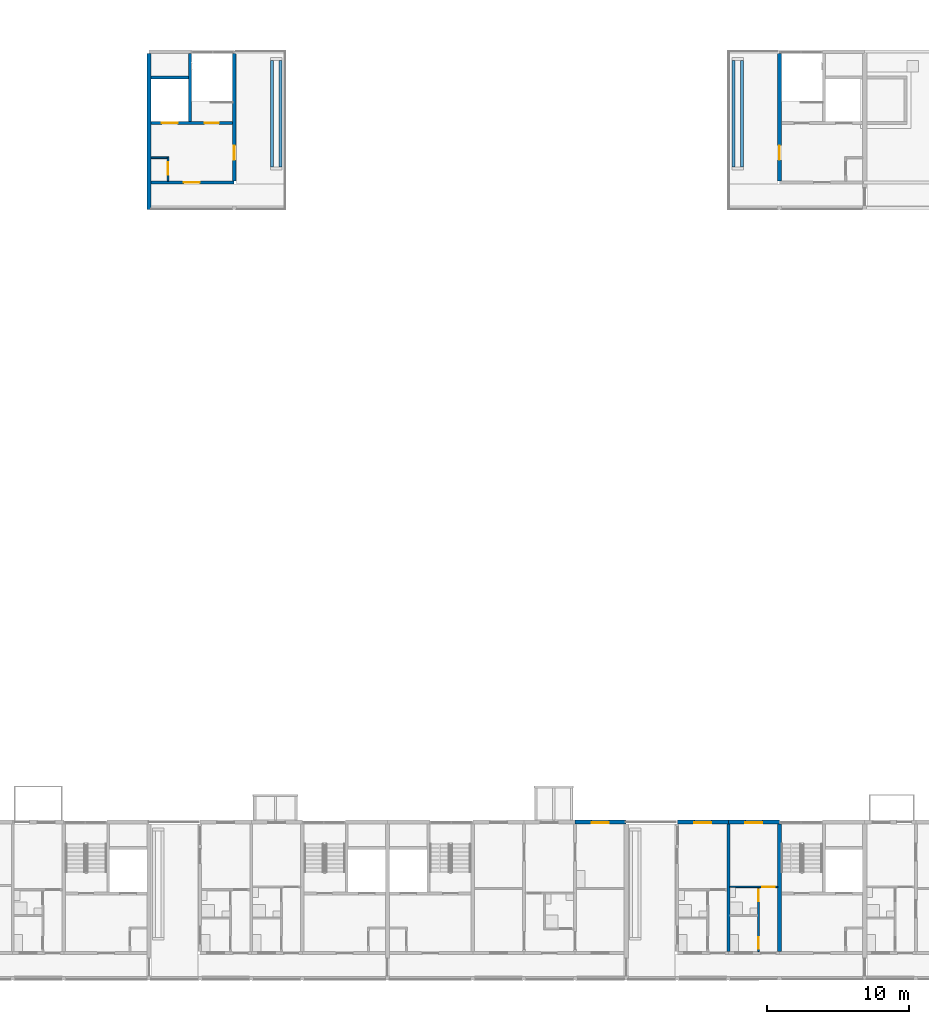
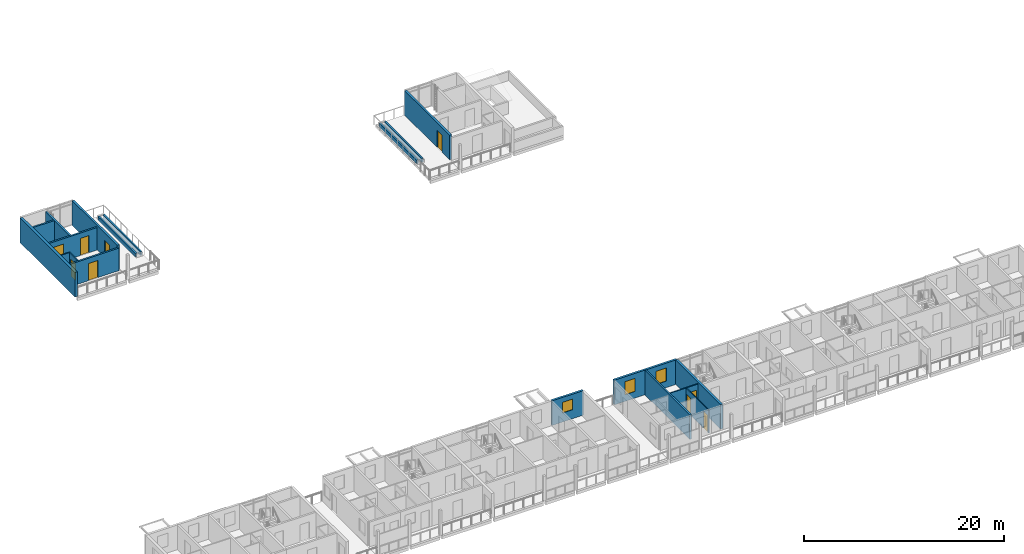
# One storey, part 35 of 78: 20 walls, 9 doors, 3 windows, 12 openings.
"""IFC4 building model written with IfcOpenShell, lengths in metres."""

from ifc_helpers import new_model, si_unit, direction, frame, frame_2d, origin, place, context, subcontext, project, spatial, rectangle, extrude, material, layer, layer_set, type_object, element, fill, save


model = new_model("IFC4")

# Units and contexts
model_context = context("Model", 3, precision=1e-05, world=origin(), true_north=direction((0.0, 1.0)))
body_context = subcontext(model_context, "Body", "Model", "MODEL_VIEW")
ifc_project = project(units=[si_unit("LENGTHUNIT", "METRE"), si_unit("AREAUNIT", "SQUARE_METRE"), si_unit("VOLUMEUNIT", "CUBIC_METRE"), si_unit("PLANEANGLEUNIT", "RADIAN"), si_unit("MASSUNIT", "GRAM", prefix="KILO")], contexts=[model_context])

# Site, building, storey
site_placement = place(None, origin())
site = spatial("IfcSite", under=ifc_project, at=site_placement, CompositionType="ELEMENT")
building_placement = place(site_placement, origin())
building = spatial("IfcBuilding", under=site, at=building_placement, Name="Ridgestep Commons", CompositionType="ELEMENT")
storey_placement = place(building_placement, frame((0.0, 0.0, 30.0)))
storey = spatial("IfcBuildingStorey", under=building, at=storey_placement, Name="L10", CompositionType="ELEMENT", Elevation=30.0)

# Wall
ifc_material_1 = material(Name="Concrete C30/37", Category="concrete")
ifc_layer_1 = layer(ifc_material_1, 0.25)
ifc_layer_set_1 = layer_set([ifc_layer_1], Name="Core cross wall 250")
wall_type_1 = type_object("IfcWallType", Name="Core cross wall 250", PredefinedType="SHEAR", material=ifc_layer_set_1)
wall_1_placement = place(storey_placement, frame((73.199951171875, 13.75, 0.0), z_axis=(0.0, 0.0, 1.0), x_axis=(0.0, 1.0, 0.0)))
element("IfcWall", 1, at=wall_1_placement, inside=storey, type_object=wall_type_1, Name="Cross wall A-10-0732", PredefinedType="SHEAR", context=body_context, shape_type="SweptSolid", body=[
    extrude(rectangle(XDim=9.0, YDim=0.25, at=frame_2d((4.5, 0.0))), origin(), (0.0, 0.0, 1.0), 3.0),
])

# Wall, opening, door
ifc_material_2 = material(Name="Concrete C30/37", Category="concrete")
ifc_layer_2 = layer(ifc_material_2, 0.199951171875)
ifc_layer_set_2 = layer_set([ifc_layer_2], Name="Core south wall 200")
wall_type_2 = type_object("IfcWallType", Name="Core south wall 200", PredefinedType="SHEAR", material=ifc_layer_set_2)
wall_2_placement = place(storey_placement, frame((28.949951171875, 67.89990234375, 0.0), z_axis=(0.0, 0.0, 1.0), x_axis=(1.0, 0.0, 0.0)))
wall_2 = element("IfcWall", 2, at=wall_2_placement, inside=storey, type_object=wall_type_2, Name="Core south wall B2C L10", PredefinedType="SHEAR", context=body_context, shape_type="SweptSolid", body=[
    extrude(rectangle(XDim=5.85009765625, YDim=0.199951171875, at=frame_2d((2.925048828125, 0.0))), origin(), (0.0, 0.0, 1.0), 2.75),
])
opening_1_placement = place(wall_2_placement, frame((2.3125, 0.0, 0.0)))
opening_1 = element("IfcOpeningElement", 3, at=opening_1_placement, cuts=wall_2, Name="Opening B2C/10/1", PredefinedType="OPENING", context=body_context, shape_type="SweptSolid", body=[
    extrude(rectangle(XDim=1.10009765625, YDim=2.10009765625, at=frame_2d((0.550048828125, 1.050048828125))), frame((0.0, 0.10986328125, 0.0), z_axis=(0.0, -1.0, 0.0), x_axis=(1.0, 0.0, 0.0)), (0.0, 0.0, 1.0), 0.219970703125),
])
ifc_material_3 = material(Name="Steel fire door", Category="steel")
door_type_1 = type_object("IfcDoorType", Name="Lobby door 1100 x 2100 FD60", OperationType="NOTDEFINED", PredefinedType="DOOR", material=ifc_material_3)
door_1_placement = place(opening_1_placement, origin())
door_1 = element("IfcDoor", 4, at=door_1_placement, inside=storey, type_object=door_type_1, Name="Lobby door B2C/10/1", OperationType="SINGLE_SWING_LEFT", OverallHeight=2.10009765625, OverallWidth=1.10009765625, PredefinedType="DOOR", context=body_context, shape_type="SweptSolid", body=[
    extrude(rectangle(XDim=1.10009765625, YDim=2.10009765625, at=frame_2d((0.550048828125, 1.050048828125))), frame((0.0, 0.02490234375, 0.0), z_axis=(0.0, -1.0, 0.0), x_axis=(1.0, 0.0, 0.0)), (0.0, 0.0, 1.0), 0.050048828125),
])
fill(opening_1, door_1)

ifc_material_4 = material(Name="Concrete C30/37", Category="concrete")
ifc_layer_3 = layer(ifc_material_4, 0.1201171875)
ifc_layer_set_3 = layer_set([ifc_layer_3], Name="Core wall 120")
wall_type_3 = type_object("IfcWallType", Name="Core wall 120", PredefinedType="SHEAR", material=ifc_layer_set_3)
wall_3_placement = place(storey_placement, frame((30.139892578125, 68.0, 0.0), z_axis=(0.0, 0.0, 1.0), x_axis=(0.0, 1.0, 0.0)))
wall_3 = element("IfcWall", 5, at=wall_3_placement, inside=storey, type_object=wall_type_3, Name="Core riser w wall B2C L10", PredefinedType="SHEAR", context=body_context, shape_type="SweptSolid", body=[
    extrude(rectangle(XDim=1.719970703125, YDim=0.1201171875, at=frame_2d((0.85986328125, 0.0))), origin(), (0.0, 0.0, 1.0), 2.75),
])
opening_2_placement = place(wall_3_placement, frame((0.449951171875, 0.0, 0.0)))
opening_2 = element("IfcOpeningElement", 6, at=opening_2_placement, cuts=wall_3, Name="Opening B2C/10/4", PredefinedType="OPENING", context=body_context, shape_type="SweptSolid", body=[
    extrude(rectangle(XDim=0.89990234375, YDim=2.10009765625, at=frame_2d((0.449951171875, 1.050048828125))), frame((0.0, 0.070068359375, 0.0), z_axis=(0.0, -1.0, 0.0), x_axis=(1.0, 0.0, 0.0)), (0.0, 0.0, 1.0), 0.14013671875),
])
ifc_material_5 = material(Name="Steel fire door", Category="steel")
door_type_2 = type_object("IfcDoorType", Name="Riser door 900 x 2100 FD60", OperationType="NOTDEFINED", PredefinedType="DOOR", material=ifc_material_5)
door_2_placement = place(opening_2_placement, origin())
door_2 = element("IfcDoor", 7, at=door_2_placement, inside=storey, type_object=door_type_2, Name="Riser door B2C/10/4", OperationType="SINGLE_SWING_RIGHT", OverallHeight=2.10009765625, OverallWidth=0.89990234375, PredefinedType="DOOR", context=body_context, shape_type="SweptSolid", body=[
    extrude(rectangle(XDim=0.89990234375, YDim=2.10009765625, at=frame_2d((0.449951171875, 1.050048828125))), frame((0.0, 0.02490234375, 0.0), z_axis=(0.0, -1.0, 0.0), x_axis=(1.0, 0.0, 0.0)), (0.0, 0.0, 1.0), 0.050048828125),
])
fill(opening_2, door_2)

# Wall
wall_4_placement = place(storey_placement, frame((28.949951171875, 69.659912109375, 0.0), z_axis=(0.0, 0.0, 1.0), x_axis=(1.0, 0.0, 0.0)))
element("IfcWall", 8, at=wall_4_placement, inside=storey, type_object=wall_type_3, Name="Core riser n wall B2C L10", PredefinedType="SHEAR", context=body_context, shape_type="SweptSolid", body=[
    extrude(rectangle(XDim=1.130126953125, YDim=0.1201171875, at=frame_2d((0.56494140625, 0.0))), origin(), (0.0, 0.0, 1.0), 2.75),
])

# Wall, openings, doors
ifc_material_6 = material(Name="Concrete C30/37", Category="concrete")
ifc_layer_4 = layer(ifc_material_6, 0.199951171875)
ifc_layer_set_4 = layer_set([ifc_layer_4], Name="Core wall 200")
wall_type_4 = type_object("IfcWallType", Name="Core wall 200", PredefinedType="SHEAR", material=ifc_layer_set_4)
wall_5_placement = place(storey_placement, frame((28.949951171875, 72.10009765625, 0.0), z_axis=(0.0, 0.0, 1.0), x_axis=(1.0, 0.0, 0.0)))
wall_5 = element("IfcWall", 9, at=wall_5_placement, inside=storey, type_object=wall_type_4, Name="Core lobby wall B2C L10", PredefinedType="SHEAR", context=body_context, shape_type="SweptSolid", body=[
    extrude(rectangle(XDim=5.72509765625, YDim=0.199951171875, at=frame_2d((2.862548828125, 0.0))), origin(), (0.0, 0.0, 1.0), 2.75),
])
opening_3_placement = place(wall_5_placement, frame((3.77490234375, 0.0, 0.0)))
opening_3 = element("IfcOpeningElement", 10, at=opening_3_placement, cuts=wall_5, Name="Opening B2C/10/2", PredefinedType="OPENING", context=body_context, shape_type="SweptSolid", body=[
    extrude(rectangle(XDim=1.0, YDim=2.10009765625, at=frame_2d((0.5, 1.050048828125))), frame((0.0, 0.10986328125, 0.0), z_axis=(0.0, -1.0, 0.0), x_axis=(1.0, 0.0, 0.0)), (0.0, 0.0, 1.0), 0.219970703125),
])
opening_4_placement = place(wall_5_placement, frame((0.762451171875, 0.0, 0.0)))
opening_4 = element("IfcOpeningElement", 11, at=opening_4_placement, cuts=wall_5, Name="Opening B2C/10/3", PredefinedType="OPENING", context=body_context, shape_type="SweptSolid", body=[
    extrude(rectangle(XDim=1.10009765625, YDim=2.10009765625, at=frame_2d((0.550048828125, 1.050048828125))), frame((0.0, 0.10986328125, 0.0), z_axis=(0.0, -1.0, 0.0), x_axis=(1.0, 0.0, 0.0)), (0.0, 0.0, 1.0), 0.219970703125),
])
ifc_material_7 = material(Name="Stainless steel", Category="steel")
door_type_3 = type_object("IfcDoorType", Name="Lift landing door 1100 x 2100 FD60", OperationType="DOUBLE_DOOR_SLIDING", PredefinedType="DOOR", material=ifc_material_7)
door_3_placement = place(opening_4_placement, origin())
door_3 = element("IfcDoor", 12, at=door_3_placement, inside=storey, type_object=door_type_3, Name="Landing door LD B2C L10", OperationType="DOUBLE_DOOR_SLIDING", OverallHeight=2.10009765625, OverallWidth=1.10009765625, PredefinedType="DOOR", context=body_context, shape_type="SweptSolid", body=[
    extrude(rectangle(XDim=1.10009765625, YDim=2.10009765625, at=frame_2d((0.550048828125, 1.050048828125))), frame((0.0, 0.02490234375, 0.0), z_axis=(0.0, -1.0, 0.0), x_axis=(1.0, 0.0, 0.0)), (0.0, 0.0, 1.0), 0.050048828125),
])
fill(opening_4, door_3)
ifc_material_8 = material(Name="Steel fire door", Category="steel")
door_type_4 = type_object("IfcDoorType", Name="Stair door 1000 x 2100 FD60", OperationType="NOTDEFINED", PredefinedType="DOOR", material=ifc_material_8)
door_4_placement = place(opening_3_placement, origin())
door_4 = element("IfcDoor", 13, at=door_4_placement, inside=storey, type_object=door_type_4, Name="Stair door B2C/10/2", OperationType="SINGLE_SWING_RIGHT", OverallHeight=2.10009765625, OverallWidth=1.0, PredefinedType="DOOR", context=body_context, shape_type="SweptSolid", body=[
    extrude(rectangle(XDim=1.0, YDim=2.10009765625, at=frame_2d((0.5, 1.050048828125))), frame((0.0, 0.02490234375, 0.0), z_axis=(0.0, -1.0, 0.0), x_axis=(1.0, 0.0, 0.0)), (0.0, 0.0, 1.0), 0.050048828125),
])
fill(opening_3, door_4)

# Walls
wall_6_placement = place(storey_placement, frame((31.675048828125, 72.199951171875, 0.0), z_axis=(0.0, 0.0, 1.0), x_axis=(0.0, 1.0, 0.0)))
element("IfcWall", 14, at=wall_6_placement, inside=storey, type_object=wall_type_4, Name="Core stair wall B2C L10", PredefinedType="SHEAR", context=body_context, shape_type="SweptSolid", body=[
    extrude(rectangle(XDim=4.800048828125, YDim=0.199951171875, at=frame_2d((2.39990234375, 0.0))), origin(), (0.0, 0.0, 1.0), 2.75),
])
wall_7_placement = place(storey_placement, frame((28.949951171875, 75.300048828125, 0.0), z_axis=(0.0, 0.0, 1.0), x_axis=(1.0, 0.0, 0.0)))
element("IfcWall", 15, at=wall_7_placement, inside=storey, type_object=wall_type_4, Name="Core duct wall B2C L10", PredefinedType="SHEAR", context=body_context, shape_type="SweptSolid", body=[
    extrude(rectangle(XDim=2.625, YDim=0.199951171875, at=frame_2d((1.3125, 0.0))), origin(), (0.0, 0.0, 1.0), 2.75),
])
ifc_material_9 = material(Name="Precast concrete C40/50", Category="concrete")
ifc_layer_5 = layer(ifc_material_9, 0.199951171875)
ifc_layer_set_5 = layer_set([ifc_layer_5], Name="Cross wall 200")
wall_type_5 = type_object("IfcWallType", Name="Cross wall 200", PredefinedType="SHEAR", material=ifc_layer_set_5)
wall_8_placement = place(storey_placement, frame((69.60009765625, 13.75, 0.0), z_axis=(0.0, 0.0, 1.0), x_axis=(0.0, 1.0, 0.0)))
element("IfcWall", 16, at=wall_8_placement, inside=storey, type_object=wall_type_5, Name="Cross wall A-10-0696", PredefinedType="SHEAR", context=body_context, shape_type="SweptSolid", body=[
    extrude(rectangle(XDim=9.0, YDim=0.199951171875, at=frame_2d((4.5, 0.0))), origin(), (0.0, 0.0, 1.0), 3.0),
])

# Wall, opening, door
ifc_material_10 = material(Name="Concrete C30/37", Category="concrete")
ifc_layer_6 = layer(ifc_material_10, 0.25)
ifc_layer_set_6 = layer_set([ifc_layer_6], Name="Exposed core cross wall 250")
wall_type_6 = type_object("IfcWallType", Name="Exposed core cross wall 250", PredefinedType="SHEAR", material=ifc_layer_set_6)
wall_9_placement = place(storey_placement, frame((34.800048828125, 68.0, 0.0), z_axis=(0.0, 0.0, 1.0), x_axis=(0.0, 1.0, 0.0)))
wall_9 = element("IfcWall", 17, at=wall_9_placement, inside=storey, type_object=wall_type_6, Name="Cross wall B-10-0348", PredefinedType="SHEAR", context=body_context, shape_type="SweptSolid", body=[
    extrude(rectangle(XDim=9.0, YDim=0.25, at=frame_2d((4.5, 0.0))), origin(), (0.0, 0.0, 1.0), 3.0),
])
opening_5_placement = place(wall_9_placement, frame((1.5, 0.0, 0.0)))
opening_5 = element("IfcOpeningElement", 18, at=opening_5_placement, cuts=wall_9, Name="Opening B2C/10/T", PredefinedType="OPENING", context=body_context, shape_type="SweptSolid", body=[
    extrude(rectangle(XDim=1.0, YDim=2.10009765625, at=frame_2d((0.5, 1.050048828125))), frame((0.0, 0.135009765625, 0.0), z_axis=(0.0, -1.0, 0.0), x_axis=(1.0, 0.0, 0.0)), (0.0, 0.0, 1.0), 0.27001953125),
])
ifc_material_11 = material(Name="Aluminium and glass", Category="aluminium")
door_type_5 = type_object("IfcDoorType", Name="Terrace door 1000 x 2100 FD60", OperationType="NOTDEFINED", PredefinedType="DOOR", material=ifc_material_11)
door_5_placement = place(opening_5_placement, origin())
door_5 = element("IfcDoor", 19, at=door_5_placement, inside=storey, type_object=door_type_5, Name="Terrace door B2C/10/T", OperationType="SINGLE_SWING_RIGHT", OverallHeight=2.10009765625, OverallWidth=1.0, PredefinedType="DOOR", context=body_context, shape_type="SweptSolid", body=[
    extrude(rectangle(XDim=1.0, YDim=2.10009765625, at=frame_2d((0.5, 1.050048828125))), frame((0.0, 0.02490234375, 0.0), z_axis=(0.0, -1.0, 0.0), x_axis=(1.0, 0.0, 0.0)), (0.0, 0.0, 1.0), 0.050048828125),
])
fill(opening_5, door_5)

wall_10_placement = place(storey_placement, frame((73.199951171875, 68.0, 0.0), z_axis=(0.0, 0.0, 1.0), x_axis=(0.0, 1.0, 0.0)))
wall_10 = element("IfcWall", 20, at=wall_10_placement, inside=storey, type_object=wall_type_6, Name="Cross wall B-10-0732", PredefinedType="SHEAR", context=body_context, shape_type="SweptSolid", body=[
    extrude(rectangle(XDim=9.0, YDim=0.25, at=frame_2d((4.5, 0.0))), origin(), (0.0, 0.0, 1.0), 3.0),
])
opening_6_placement = place(wall_10_placement, frame((1.5, 0.0, 0.0)))
opening_6 = element("IfcOpeningElement", 21, at=opening_6_placement, cuts=wall_10, Name="Opening B4C/10/T", PredefinedType="OPENING", context=body_context, shape_type="SweptSolid", body=[
    extrude(rectangle(XDim=1.0, YDim=2.10009765625, at=frame_2d((0.5, 1.050048828125))), frame((0.0, 0.135009765625, 0.0), z_axis=(0.0, -1.0, 0.0), x_axis=(1.0, 0.0, 0.0)), (0.0, 0.0, 1.0), 0.27001953125),
])
door_6_placement = place(opening_6_placement, origin())
door_6 = element("IfcDoor", 22, at=door_6_placement, inside=storey, type_object=door_type_5, Name="Terrace door B4C/10/T", OperationType="SINGLE_SWING_LEFT", OverallHeight=2.10009765625, OverallWidth=1.0, PredefinedType="DOOR", context=body_context, shape_type="SweptSolid", body=[
    extrude(rectangle(XDim=1.0, YDim=2.10009765625, at=frame_2d((0.5, 1.050048828125))), frame((0.0, 0.02490234375, 0.0), z_axis=(0.0, -1.0, 0.0), x_axis=(1.0, 0.0, 0.0)), (0.0, 0.0, 1.0), 0.050048828125),
])
fill(opening_6, door_6)

# Wall
ifc_material_12 = material(Name="Precast concrete C40/50", Category="concrete")
ifc_layer_7 = layer(ifc_material_12, 0.300048828125)
ifc_layer_set_7 = layer_set([ifc_layer_7], Name="Exposed division wall 300")
wall_type_7 = type_object("IfcWallType", Name="Exposed division wall 300", PredefinedType="SHEAR", material=ifc_layer_set_7)
wall_11_placement = place(storey_placement, frame((28.800048828125, 66.0, 0.0), z_axis=(0.0, 0.0, 1.0), x_axis=(0.0, 1.0, 0.0)))
element("IfcWall", 23, at=wall_11_placement, inside=storey, type_object=wall_type_7, Name="Cross wall B-10-0288", PredefinedType="SHEAR", context=body_context, shape_type="SweptSolid", body=[
    extrude(rectangle(XDim=11.0, YDim=0.300048828125, at=frame_2d((5.5, 0.0))), origin(), (0.0, 0.0, 1.0), 3.0),
])

# Wall, opening, window
ifc_material_13 = material(Name="Precast concrete C40/50", Category="concrete")
ifc_layer_8 = layer(ifc_material_13, 0.25)
ifc_layer_set_8 = layer_set([ifc_layer_8], Name="North facade panel 250")
wall_type_8 = type_object("IfcWallType", Name="North facade panel 250", PredefinedType="SOLIDWALL", material=ifc_layer_set_8)
wall_12_placement = place(storey_placement, frame((58.800048828125, 22.875, 0.0), z_axis=(0.0, 0.0, 1.0), x_axis=(1.0, 0.0, 0.0)))
wall_12 = element("IfcWall", 24, at=wall_12_placement, inside=storey, type_object=wall_type_8, Name="North panel A3T1 L10", PredefinedType="SOLIDWALL", context=body_context, shape_type="SweptSolid", body=[
    extrude(rectangle(XDim=3.599853515625, YDim=0.25, at=frame_2d((1.7998046875, 0.0))), origin(), (0.0, 0.0, 1.0), 3.0),
])
opening_7_placement = place(wall_12_placement, frame((1.175048828125, 0.0, 1.10009765625)))
opening_7 = element("IfcOpeningElement", 25, at=opening_7_placement, cuts=wall_12, Name="Opening W08", PredefinedType="OPENING", context=body_context, shape_type="SweptSolid", body=[
    extrude(rectangle(XDim=1.199951171875, YDim=1.300048828125, at=frame_2d((0.60009765625, 0.64990234375))), frame((0.0, 0.135009765625, 0.0), z_axis=(0.0, -1.0, 0.0), x_axis=(1.0, 0.0, 0.0)), (0.0, 0.0, 1.0), 0.27001953125),
])
ifc_material_14 = material(Name="Aluminium 6063-T6 and glass", Category="aluminium")
window_type_1 = type_object("IfcWindowType", Name="Flat window 1200 x 1300", PartitioningType="SINGLE_PANEL", PredefinedType="WINDOW", material=ifc_material_14)
window_1_placement = place(opening_7_placement, origin())
window_1 = element("IfcWindow", 26, at=window_1_placement, inside=storey, type_object=window_type_1, Name="Window A3-10a 4", OverallHeight=1.300048828125, OverallWidth=1.199951171875, PartitioningType="SINGLE_PANEL", PredefinedType="WINDOW", context=body_context, shape_type="SweptSolid", body=[
    extrude(rectangle(XDim=1.199951171875, YDim=1.300048828125, at=frame_2d((0.60009765625, 0.64990234375))), frame((0.0, -0.02490234375, 0.0), z_axis=(0.0, -1.0, 0.0), x_axis=(1.0, 0.0, 0.0)), (0.0, 0.0, 1.0), 0.06005859375),
])
fill(opening_7, window_1)

wall_13_placement = place(storey_placement, frame((66.0, 22.875, 0.0), z_axis=(0.0, 0.0, 1.0), x_axis=(1.0, 0.0, 0.0)))
wall_13 = element("IfcWall", 27, at=wall_13_placement, inside=storey, type_object=wall_type_8, Name="North panel A4T2 L10", PredefinedType="SOLIDWALL", context=body_context, shape_type="SweptSolid", body=[
    extrude(rectangle(XDim=3.60009765625, YDim=0.25, at=frame_2d((1.800048828125, 0.0))), origin(), (0.0, 0.0, 1.0), 3.0),
])
opening_8_placement = place(wall_13_placement, frame((1.199951171875, 0.0, 0.800048828125)))
opening_8 = element("IfcOpeningElement", 28, at=opening_8_placement, cuts=wall_13, Name="Opening W11", PredefinedType="OPENING", context=body_context, shape_type="SweptSolid", body=[
    extrude(rectangle(XDim=1.199951171875, YDim=1.60009765625, at=frame_2d((0.60009765625, 0.800048828125))), frame((0.0, 0.135009765625, 0.0), z_axis=(0.0, -1.0, 0.0), x_axis=(1.0, 0.0, 0.0)), (0.0, 0.0, 1.0), 0.27001953125),
])
ifc_material_15 = material(Name="Aluminium 6063-T6 and glass", Category="aluminium")
window_type_2 = type_object("IfcWindowType", Name="Flat window 1200 x 1600", PartitioningType="SINGLE_PANEL", PredefinedType="WINDOW", material=ifc_material_15)
window_2_placement = place(opening_8_placement, origin())
window_2 = element("IfcWindow", 29, at=window_2_placement, inside=storey, type_object=window_type_2, Name="Window A4-10a 2", OverallHeight=1.60009765625, OverallWidth=1.199951171875, PartitioningType="SINGLE_PANEL", PredefinedType="WINDOW", context=body_context, shape_type="SweptSolid", body=[
    extrude(rectangle(XDim=1.199951171875, YDim=1.60009765625, at=frame_2d((0.60009765625, 0.800048828125))), frame((0.0, -0.02490234375, 0.0), z_axis=(0.0, -1.0, 0.0), x_axis=(1.0, 0.0, 0.0)), (0.0, 0.0, 1.0), 0.06005859375),
])
fill(opening_8, window_2)

wall_14_placement = place(storey_placement, frame((69.60009765625, 22.875, 0.0), z_axis=(0.0, 0.0, 1.0), x_axis=(1.0, 0.0, 0.0)))
wall_14 = element("IfcWall", 30, at=wall_14_placement, inside=storey, type_object=wall_type_8, Name="North panel A4T3 L10", PredefinedType="SOLIDWALL", context=body_context, shape_type="SweptSolid", body=[
    extrude(rectangle(XDim=3.599853515625, YDim=0.25, at=frame_2d((1.7998046875, 0.0))), origin(), (0.0, 0.0, 1.0), 3.0),
])
opening_9_placement = place(wall_14_placement, frame((1.1875, 0.0, 0.800048828125)))
opening_9 = element("IfcOpeningElement", 31, at=opening_9_placement, cuts=wall_14, Name="Opening W11", PredefinedType="OPENING", context=body_context, shape_type="SweptSolid", body=[
    extrude(rectangle(XDim=1.199951171875, YDim=1.60009765625, at=frame_2d((0.60009765625, 0.800048828125))), frame((0.0, 0.135009765625, 0.0), z_axis=(0.0, -1.0, 0.0), x_axis=(1.0, 0.0, 0.0)), (0.0, 0.0, 1.0), 0.27001953125),
])
window_3_placement = place(opening_9_placement, origin())
window_3 = element("IfcWindow", 32, at=window_3_placement, inside=storey, type_object=window_type_2, Name="Window A4-10b 2", OverallHeight=1.60009765625, OverallWidth=1.199951171875, PartitioningType="SINGLE_PANEL", PredefinedType="WINDOW", context=body_context, shape_type="SweptSolid", body=[
    extrude(rectangle(XDim=1.199951171875, YDim=1.60009765625, at=frame_2d((0.60009765625, 0.800048828125))), frame((0.0, -0.02490234375, 0.0), z_axis=(0.0, -1.0, 0.0), x_axis=(1.0, 0.0, 0.0)), (0.0, 0.0, 1.0), 0.06005859375),
])
fill(opening_9, window_3)

# Wall, openings, doors
ifc_material_16 = material(Name="Common brick 110 mm", Category="masonry")
ifc_layer_9 = layer(ifc_material_16, 0.110107421875)
ifc_layer_set_9 = layer_set([ifc_layer_9], Name="Partition 110")
wall_type_9 = type_object("IfcWallType", Name="Partition 110", PredefinedType="PARTITIONING", material=ifc_layer_set_9)
wall_15_placement = place(storey_placement, frame((71.719970703125, 13.75, 0.0), z_axis=(0.0, 0.0, 1.0), x_axis=(0.0, 1.0, 0.0)))
wall_15 = element("IfcWall", 33, at=wall_15_placement, inside=storey, type_object=wall_type_9, Name="Partition A4-10b", PredefinedType="PARTITIONING", context=body_context, shape_type="SweptSolid", body=[
    extrude(rectangle(XDim=4.5, YDim=0.110107421875, at=frame_2d((2.25, 0.0))), origin(), (0.0, 0.0, 1.0), 2.800048828125),
])
opening_10_placement = place(wall_15_placement, frame((0.199951171875, 0.0, 0.0)))
opening_10 = element("IfcOpeningElement", 34, at=opening_10_placement, cuts=wall_15, Name="Opening A4-10b/2", PredefinedType="OPENING", context=body_context, shape_type="SweptSolid", body=[
    extrude(rectangle(XDim=0.800048828125, YDim=2.10009765625, at=frame_2d((0.39990234375, 1.050048828125))), frame((0.0, 0.06494140625, 0.0), z_axis=(0.0, -1.0, 0.0), x_axis=(1.0, 0.0, 0.0)), (0.0, 0.0, 1.0), 0.130126953125),
])
opening_11_placement = place(wall_15_placement, frame((3.550048828125, 0.0, 0.0)))
opening_11 = element("IfcOpeningElement", 35, at=opening_11_placement, cuts=wall_15, Name="Opening A4-10b/3", PredefinedType="OPENING", context=body_context, shape_type="SweptSolid", body=[
    extrude(rectangle(XDim=0.800048828125, YDim=2.10009765625, at=frame_2d((0.39990234375, 1.050048828125))), frame((0.0, 0.06494140625, 0.0), z_axis=(0.0, -1.0, 0.0), x_axis=(1.0, 0.0, 0.0)), (0.0, 0.0, 1.0), 0.130126953125),
])
ifc_material_17 = material(Name="Timber door leaf", Category="wood")
door_type_6 = type_object("IfcDoorType", Name="Internal door 800 x 2100", OperationType="NOTDEFINED", PredefinedType="DOOR", material=ifc_material_17)
door_7_placement = place(opening_10_placement, origin())
door_7 = element("IfcDoor", 36, at=door_7_placement, inside=storey, type_object=door_type_6, Name="Internal door A4-10b/2", OperationType="SINGLE_SWING_LEFT", OverallHeight=2.10009765625, OverallWidth=0.800048828125, PredefinedType="DOOR", context=body_context, shape_type="SweptSolid", body=[
    extrude(rectangle(XDim=0.800048828125, YDim=2.10009765625, at=frame_2d((0.39990234375, 1.050048828125))), frame((0.0, 0.02490234375, 0.0), z_axis=(0.0, -1.0, 0.0), x_axis=(1.0, 0.0, 0.0)), (0.0, 0.0, 1.0), 0.050048828125),
])
fill(opening_10, door_7)
door_8_placement = place(opening_11_placement, origin())
door_8 = element("IfcDoor", 37, at=door_8_placement, inside=storey, type_object=door_type_6, Name="Internal door A4-10b/3", OperationType="SINGLE_SWING_RIGHT", OverallHeight=2.10009765625, OverallWidth=0.800048828125, PredefinedType="DOOR", context=body_context, shape_type="SweptSolid", body=[
    extrude(rectangle(XDim=0.800048828125, YDim=2.10009765625, at=frame_2d((0.39990234375, 1.050048828125))), frame((0.0, 0.02490234375, 0.0), z_axis=(0.0, -1.0, 0.0), x_axis=(1.0, 0.0, 0.0)), (0.0, 0.0, 1.0), 0.050048828125),
])
fill(opening_11, door_8)

# Wall, opening, door
wall_16_placement = place(storey_placement, frame((69.699951171875, 18.304931640625, 0.0), z_axis=(0.0, 0.0, 1.0), x_axis=(1.0, 0.0, 0.0)))
wall_16 = element("IfcWall", 38, at=wall_16_placement, inside=storey, type_object=wall_type_9, Name="Partition A4-10b", PredefinedType="PARTITIONING", context=body_context, shape_type="SweptSolid", body=[
    extrude(rectangle(XDim=3.375, YDim=0.110107421875, at=frame_2d((1.6875, 0.0))), origin(), (0.0, 0.0, 1.0), 2.800048828125),
])
opening_12_placement = place(wall_16_placement, frame((2.27490234375, 0.0, 0.0)))
opening_12 = element("IfcOpeningElement", 39, at=opening_12_placement, cuts=wall_16, Name="Opening A4-10b/4", PredefinedType="OPENING", context=body_context, shape_type="SweptSolid", body=[
    extrude(rectangle(XDim=0.89990234375, YDim=2.10009765625, at=frame_2d((0.449951171875, 1.050048828125))), frame((0.0, 0.06494140625, 0.0), z_axis=(0.0, -1.0, 0.0), x_axis=(1.0, 0.0, 0.0)), (0.0, 0.0, 1.0), 0.130126953125),
])
ifc_material_18 = material(Name="Timber door leaf", Category="wood")
door_type_7 = type_object("IfcDoorType", Name="Internal door 900 x 2100", OperationType="NOTDEFINED", PredefinedType="DOOR", material=ifc_material_18)
door_9_placement = place(opening_12_placement, origin())
door_9 = element("IfcDoor", 40, at=door_9_placement, inside=storey, type_object=door_type_7, Name="Internal door A4-10b/4", OperationType="SINGLE_SWING_RIGHT", OverallHeight=2.10009765625, OverallWidth=0.89990234375, PredefinedType="DOOR", context=body_context, shape_type="SweptSolid", body=[
    extrude(rectangle(XDim=0.89990234375, YDim=2.10009765625, at=frame_2d((0.449951171875, 1.050048828125))), frame((0.0, 0.02490234375, 0.0), z_axis=(0.0, -1.0, 0.0), x_axis=(1.0, 0.0, 0.0)), (0.0, 0.0, 1.0), 0.050048828125),
])
fill(opening_12, door_9)

# Walls
ifc_material_19 = material(Name="Facing brick", Category="masonry")
ifc_layer_10 = layer(ifc_material_19, 0.199951171875)
ifc_layer_set_10 = layer_set([ifc_layer_10], Name="Planter wall 200")
wall_type_10 = type_object("IfcWallType", Name="Planter wall 200", PredefinedType="SOLIDWALL", material=ifc_layer_set_10)
for number, where, z_axis, x_axis, name in (
    (41, (37.449951171875, 69.0, 0.010009765625), (0.0, 0.0, 1.0), (0.0, 1.0, 0.0), "Planter wall B2R3W"),
    (42, (38.050048828125, 69.0, 0.010009765625), (0.0, 0.0, 1.0), (0.0, 1.0, 0.0), "Planter wall B2R3E"),
    (43, (69.949951171875, 69.0, 0.010009765625), (0.0, 0.0, 1.0), (0.0, 1.0, 0.0), "Planter wall B4R3W"),
    (44, (70.550048828125, 69.0, 0.010009765625), (0.0, 0.0, 1.0), (0.0, 1.0, 0.0), "Planter wall B4R3E"),
):
    element("IfcWall", number, at=place(storey_placement, frame(where, z_axis=z_axis, x_axis=x_axis)), inside=storey, type_object=wall_type_10, Name=name, PredefinedType="SOLIDWALL", context=body_context, shape_type="SweptSolid", body=[
        extrude(rectangle(XDim=7.5, YDim=0.199951171875, at=frame_2d((3.75, 0.0))), origin(), (0.0, 0.0, 1.0), 0.449951171875),
    ])

save(model, "model.ifc")
